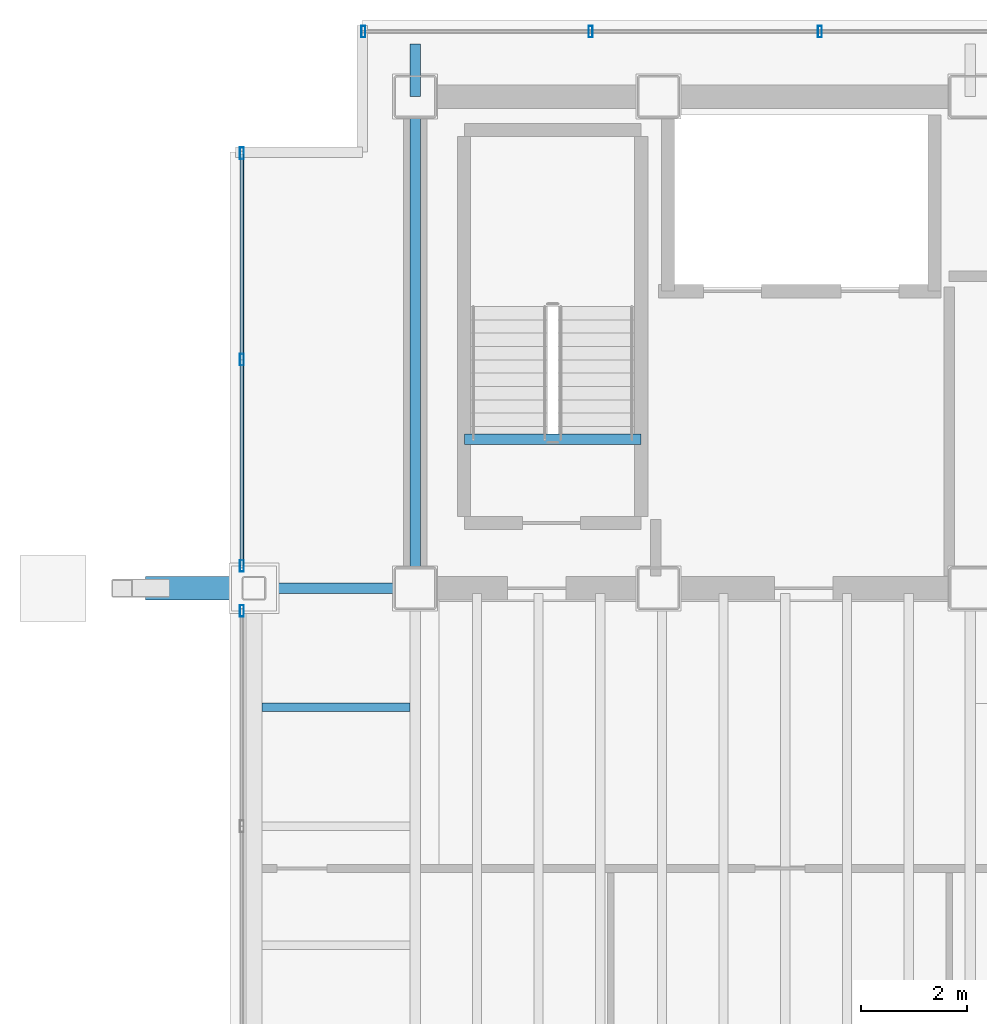
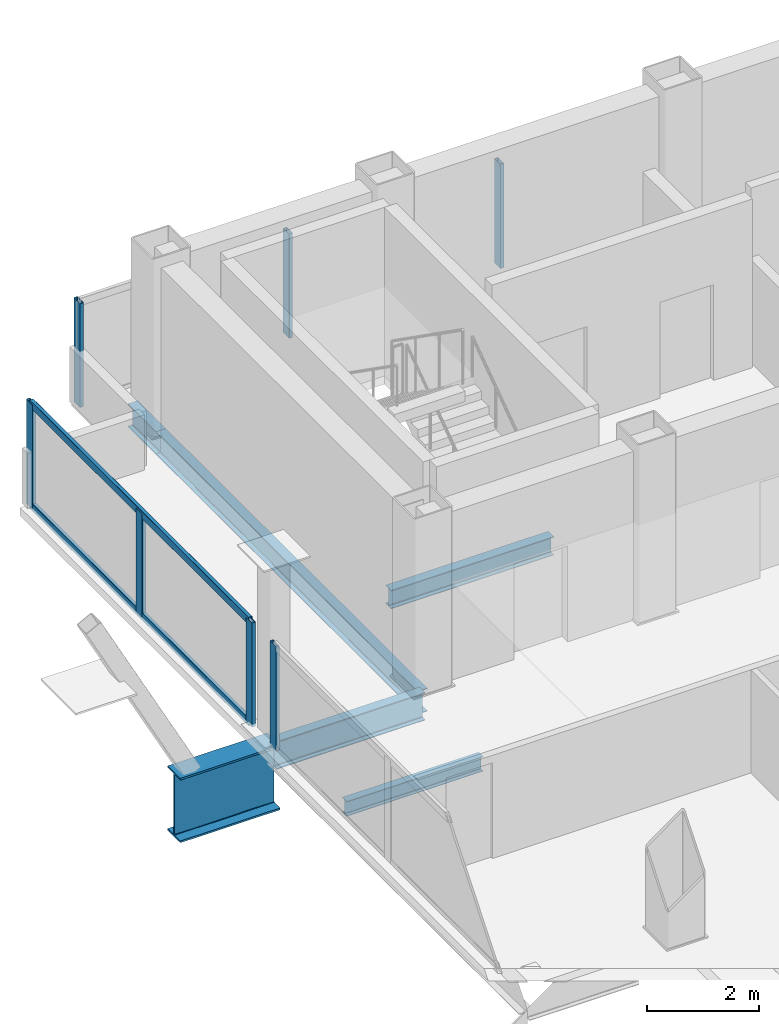
# One storey, part 6 of 17: 9 members, 6 beams, 3 elements without a shape of their own.
"""IFC4 building model written with IfcOpenShell, lengths in metres."""

from ifc_helpers import new_model, si_unit, direction, frame, origin, origin_2d, place, context, subcontext, project, spatial, hollow_rectangle, i_section, extrude, material, material_profile, profile_set, type_object, element, aggregate, save


model = new_model("IFC4")

# Units and contexts
model_context = context("Model", 3, precision=1e-05, world=origin(), true_north=direction((0.0, 1.0)))
body_context = subcontext(model_context, "Body", "Model", "MODEL_VIEW")
ifc_project = project(units=[si_unit("LENGTHUNIT", "METRE"), si_unit("AREAUNIT", "SQUARE_METRE"), si_unit("VOLUMEUNIT", "CUBIC_METRE"), si_unit("PLANEANGLEUNIT", "RADIAN"), si_unit("MASSUNIT", "GRAM", prefix="KILO")], contexts=[model_context])

# Site, building, storey
site_placement = place(None, origin())
site = spatial("IfcSite", under=ifc_project, at=site_placement, CompositionType="ELEMENT")
building_placement = place(site_placement, origin())
building = spatial("IfcBuilding", under=site, at=building_placement, Name="Noeulbin Bourse Tower", CompositionType="ELEMENT")
storey_placement = place(building_placement, frame((0.0, 0.0, 226.699951171875)))
storey = spatial("IfcBuildingStorey", under=building, at=storey_placement, Name="L56", CompositionType="ELEMENT", Elevation=226.699951171875)

# Beams
ifc_material_1 = material(Name="Steel S355", Category="steel")
ifc_material_profile_1 = material_profile(ifc_material_1, i_section(OverallWidth=0.199951171875, OverallDepth=0.5, WebThickness=0.010009765625, FlangeThickness=0.01611328125, FilletRadius=0.02001953125, at=origin_2d()), Name="H-500x200x10x16", Category="LoadBearing")
ifc_profile_set_1 = profile_set([ifc_material_profile_1], Name="Steel S355")
beam_type_1 = type_object("IfcBeamType", Name="BM-GRD-500", PredefinedType="USERDEFINED", material=ifc_profile_set_1)
beam_1_placement = place(storey_placement, frame((13.5, 29.0, -0.429931640625), z_axis=(0.0, 1.0, 0.0), x_axis=(-1.0, 0.0, 0.0)))
element("IfcBeam", 1, at=beam_1_placement, inside=storey, type_object=beam_type_1, Name="Tower Primary Girder NS L56-1.3", ObjectType="GIRDER", PredefinedType="USERDEFINED", context=body_context, shape_type="SweptSolid", body=[
    extrude(i_section(OverallWidth=0.199951171875, OverallDepth=0.5, WebThickness=0.010009765625, FlangeThickness=0.01611328125, FilletRadius=0.02001953125, at=origin_2d()), origin(), (0.0, 0.0, 1.0), 9.300048828125),
])
beam_2_placement = place(storey_placement, frame((13.5, 38.300048828125, -0.429931640625), z_axis=(0.0, 1.0, 0.0), x_axis=(-1.0, 0.0, 0.0)))
element("IfcBeam", 2, at=beam_2_placement, inside=storey, type_object=beam_type_1, Name="Tower Primary Girder NS L56-1.4", ObjectType="GIRDER", PredefinedType="USERDEFINED", context=body_context, shape_type="SweptSolid", body=[
    extrude(i_section(OverallWidth=0.199951171875, OverallDepth=0.5, WebThickness=0.010009765625, FlangeThickness=0.01611328125, FilletRadius=0.02001953125, at=origin_2d()), origin(), (0.0, 0.0, 1.0), 1.0),
])
ifc_material_profile_2 = material_profile(ifc_material_1, i_section(OverallWidth=0.199951171875, OverallDepth=0.60009765625, WebThickness=0.010986328125, FlangeThickness=0.01708984375, FilletRadius=0.02197265625, at=origin_2d()), Name="H-600x200x11x17", Category="LoadBearing")
ifc_profile_set_2 = profile_set([ifc_material_profile_2], Name="Steel S355")
beam_type_2 = type_object("IfcBeamType", Name="BM-GRD-600", PredefinedType="USERDEFINED", material=ifc_profile_set_2)
beam_3_placement = place(storey_placement, frame((10.449951171875, 29.0, -0.47998046875), z_axis=(1.0, 0.0, 0.0), x_axis=(0.0, 1.0, 0.0)))
element("IfcBeam", 3, at=beam_3_placement, inside=storey, type_object=beam_type_2, Name="Tower Primary Girder EW L56-2.1", ObjectType="GIRDER", PredefinedType="USERDEFINED", context=body_context, shape_type="SweptSolid", body=[
    extrude(i_section(OverallWidth=0.199951171875, OverallDepth=0.60009765625, WebThickness=0.010986328125, FlangeThickness=0.01708984375, FilletRadius=0.02197265625, at=origin_2d()), origin(), (0.0, 0.0, 1.0), 3.050048828125),
])
ifc_material_profile_3 = material_profile(ifc_material_1, i_section(OverallWidth=0.159912109375, OverallDepth=0.320068359375, WebThickness=0.006591796875, FlangeThickness=0.010009765625, FilletRadius=0.012939453125, at=origin_2d()), Name="H-320x160x6.5x10", Category="LoadBearing")
ifc_profile_set_3 = profile_set([ifc_material_profile_3], Name="Steel S355")
beam_type_3 = type_object("IfcBeamType", Name="BM-JST-320", PredefinedType="JOIST", material=ifc_profile_set_3)
beam_4_placement = place(storey_placement, frame((10.60009765625, 26.75, -0.33984375), z_axis=(1.0, 0.0, 0.0), x_axis=(0.0, 1.0, 0.0)))
element("IfcBeam", 4, at=beam_4_placement, inside=storey, type_object=beam_type_3, Name="Wing Composite Joist L56-W49", PredefinedType="JOIST", context=body_context, shape_type="SweptSolid", body=[
    extrude(i_section(OverallWidth=0.159912109375, OverallDepth=0.320068359375, WebThickness=0.006591796875, FlangeThickness=0.010009765625, FilletRadius=0.012939453125, at=origin_2d()), origin(), (0.0, 0.0, 1.0), 2.7998046875),
])
ifc_material_profile_4 = material_profile(ifc_material_1, i_section(OverallWidth=0.199951171875, OverallDepth=0.39990234375, WebThickness=0.008056640625, FlangeThickness=0.012939453125, FilletRadius=0.01611328125, at=origin_2d()), Name="H-400x200x8x13", Category="LoadBearing")
ifc_profile_set_4 = profile_set([ifc_material_profile_4], Name="Steel S355")
beam_type_4 = type_object("IfcBeamType", Name="BM-SEC-400", PredefinedType="BEAM", material=ifc_profile_set_4)
beam_5_placement = place(storey_placement, frame((14.429931640625, 31.820068359375, -0.199951171875), z_axis=(1.0, 0.0, 0.0), x_axis=(0.0, 1.0, 0.0)))
element("IfcBeam", 5, at=beam_5_placement, inside=storey, type_object=beam_type_4, Name="Stair Threshold Trimmer Beam ST1-L56", PredefinedType="BEAM", context=body_context, shape_type="SweptSolid", body=[
    extrude(i_section(OverallWidth=0.199951171875, OverallDepth=0.39990234375, WebThickness=0.008056640625, FlangeThickness=0.012939453125, FilletRadius=0.01611328125, at=origin_2d()), origin(), (0.0, 0.0, 1.0), 3.340087890625),
])
ifc_material_2 = material(Name="Steel S460", Category="steel")
ifc_material_profile_5 = material_profile(ifc_material_2, i_section(OverallWidth=0.449951171875, OverallDepth=1.39990234375, WebThickness=0.02392578125, FlangeThickness=0.0400390625, FilletRadius=0.02392578125, at=origin_2d()), Name="PG-1400x450x24x40", Category="LoadBearing")
ifc_profile_set_5 = profile_set([ifc_material_profile_5], Name="Steel S460")
beam_type_5 = type_object("IfcBeamType", Name="BM-TRF-1400", PredefinedType="USERDEFINED", material=ifc_profile_set_5)
beam_6_placement = place(storey_placement, frame((8.39990234375, 29.0, -0.8798828125), z_axis=(1.0, 0.0, 0.0), x_axis=(0.0, 1.0, 0.0)))
element("IfcBeam", 6, at=beam_6_placement, inside=storey, type_object=beam_type_5, Name="Transfer Outrigger Corbel L56-02", ObjectType="GIRDER", PredefinedType="USERDEFINED", context=body_context, shape_type="SweptSolid", body=[
    extrude(i_section(OverallWidth=0.449951171875, OverallDepth=1.39990234375, WebThickness=0.02392578125, FlangeThickness=0.0400390625, FilletRadius=0.02392578125, at=origin_2d()), origin(), (0.0, 0.0, 1.0), 2.050048828125),
])

# Curtain wall, members
ifc_material_3 = material(Name="High-Selectivity Low-Iron Glazing", Category="glass")
curtain_wall_type = type_object("IfcCurtainWallType", Name="CW-SYS-4", PredefinedType="NOTDEFINED", material=ifc_material_3)
curtain_wall_1_placement = place(storey_placement, origin())
curtain_wall_1 = element("IfcCurtainWall", 7, at=curtain_wall_1_placement, inside=storey, type_object=curtain_wall_type, Name="Unitised Curtain Wall CW-L56-N", PredefinedType="NOTDEFINED")
ifc_material_4 = material(Name="Anodised Aluminium 6063-T6", Category="aluminium")
ifc_material_profile_6 = material_profile(ifc_material_4, hollow_rectangle(XDim=0.074951171875, YDim=0.219970703125, WallThickness=0.0048828125, InnerFilletRadius=0.00244140625, OuterFilletRadius=0.0048828125, at=origin_2d()), Name="ALU-MULL-75x220x5", Category="LoadBearing")
ifc_profile_set_6 = profile_set([ifc_material_profile_6], Name="Anodised Aluminium 6063-T6")
member_type_1 = type_object("IfcMemberType", Name="CW-SYS-4-MUL", PredefinedType="MULLION", material=ifc_profile_set_6)
member_1_placement = place(storey_placement, frame((12.52001953125, 39.530029296875, -0.02001953125), z_axis=(0.0, 0.0, 1.0), x_axis=(1.0, 0.0, 0.0)))
member_1 = element("IfcMember", 8, at=member_1_placement, type_object=member_type_1, Name="Curtain Wall Mullion CW-L56-N-M00", PredefinedType="MULLION", context=body_context, shape_type="SweptSolid", body=[
    extrude(hollow_rectangle(XDim=0.074951171875, YDim=0.219970703125, WallThickness=0.0048828125, InnerFilletRadius=0.00244140625, OuterFilletRadius=0.0048828125, at=origin_2d()), origin(), (0.0, 0.0, 1.0), 2.260009765625),
])
member_2_placement = place(storey_placement, frame((16.81787109375, 39.530029296875, -0.02001953125), z_axis=(0.0, 0.0, 1.0), x_axis=(1.0, 0.0, 0.0)))
member_2 = element("IfcMember", 9, at=member_2_placement, type_object=member_type_1, Name="Curtain Wall Mullion CW-L56-N-M01", PredefinedType="MULLION", context=body_context, shape_type="SweptSolid", body=[
    extrude(hollow_rectangle(XDim=0.074951171875, YDim=0.219970703125, WallThickness=0.0048828125, InnerFilletRadius=0.00244140625, OuterFilletRadius=0.0048828125, at=origin_2d()), origin(), (0.0, 0.0, 1.0), 2.260009765625),
])
member_3_placement = place(storey_placement, frame((21.155517578125, 39.530029296875, -0.02001953125), z_axis=(0.0, 0.0, 1.0), x_axis=(1.0, 0.0, 0.0)))
member_3 = element("IfcMember", 10, at=member_3_placement, type_object=member_type_1, Name="Curtain Wall Mullion CW-L56-N-M02", PredefinedType="MULLION", context=body_context, shape_type="SweptSolid", body=[
    extrude(hollow_rectangle(XDim=0.074951171875, YDim=0.219970703125, WallThickness=0.0048828125, InnerFilletRadius=0.00244140625, OuterFilletRadius=0.0048828125, at=origin_2d()), origin(), (0.0, 0.0, 1.0), 2.260009765625),
])
aggregate(curtain_wall_1, [member_1, member_2, member_3])

# Curtain wall, member
curtain_wall_2_placement = place(storey_placement, origin())
curtain_wall_2 = element("IfcCurtainWall", 11, at=curtain_wall_2_placement, inside=storey, type_object=curtain_wall_type, Name="Unitised Curtain Wall CW-L56-W-S2", PredefinedType="NOTDEFINED")
member_4_placement = place(storey_placement, frame((10.219970703125, 28.574951171875, -0.02001953125), z_axis=(0.0, 0.0, 1.0), x_axis=(1.0, 0.0, 0.0)))
member_4 = element("IfcMember", 12, at=member_4_placement, type_object=member_type_1, Name="Curtain Wall Mullion CW-L56-W-S2-M02", PredefinedType="MULLION", context=body_context, shape_type="SweptSolid", body=[
    extrude(hollow_rectangle(XDim=0.074951171875, YDim=0.219970703125, WallThickness=0.0048828125, InnerFilletRadius=0.00244140625, OuterFilletRadius=0.0048828125, at=origin_2d()), origin(), (0.0, 0.0, 1.0), 2.260009765625),
])
aggregate(curtain_wall_2, [member_4])

# Curtain wall, members
curtain_wall_3_placement = place(storey_placement, origin())
curtain_wall_3 = element("IfcCurtainWall", 13, at=curtain_wall_3_placement, inside=storey, type_object=curtain_wall_type, Name="Unitised Curtain Wall CW-L56-W-S3", PredefinedType="NOTDEFINED")
member_5_placement = place(storey_placement, frame((10.219970703125, 29.425048828125, -0.02001953125), z_axis=(0.0, 0.0, 1.0), x_axis=(1.0, 0.0, 0.0)))
member_5 = element("IfcMember", 14, at=member_5_placement, type_object=member_type_1, Name="Curtain Wall Mullion CW-L56-W-S3-M00", PredefinedType="MULLION", context=body_context, shape_type="SweptSolid", body=[
    extrude(hollow_rectangle(XDim=0.074951171875, YDim=0.219970703125, WallThickness=0.0048828125, InnerFilletRadius=0.00244140625, OuterFilletRadius=0.0048828125, at=origin_2d()), origin(), (0.0, 0.0, 1.0), 2.260009765625),
])
member_6_placement = place(storey_placement, frame((10.219970703125, 33.327392578125, -0.02001953125), z_axis=(0.0, 0.0, 1.0), x_axis=(1.0, 0.0, 0.0)))
member_6 = element("IfcMember", 15, at=member_6_placement, type_object=member_type_1, Name="Curtain Wall Mullion CW-L56-W-S3-M01", PredefinedType="MULLION", context=body_context, shape_type="SweptSolid", body=[
    extrude(hollow_rectangle(XDim=0.074951171875, YDim=0.219970703125, WallThickness=0.0048828125, InnerFilletRadius=0.00244140625, OuterFilletRadius=0.0048828125, at=origin_2d()), origin(), (0.0, 0.0, 1.0), 2.260009765625),
])
member_7_placement = place(storey_placement, frame((10.219970703125, 37.22998046875, -0.02001953125), z_axis=(0.0, 0.0, 1.0), x_axis=(1.0, 0.0, 0.0)))
member_7 = element("IfcMember", 16, at=member_7_placement, type_object=member_type_1, Name="Curtain Wall Mullion CW-L56-W-S3-M02", PredefinedType="MULLION", context=body_context, shape_type="SweptSolid", body=[
    extrude(hollow_rectangle(XDim=0.074951171875, YDim=0.219970703125, WallThickness=0.0048828125, InnerFilletRadius=0.00244140625, OuterFilletRadius=0.0048828125, at=origin_2d()), origin(), (0.0, 0.0, 1.0), 2.260009765625),
])
ifc_material_profile_7 = material_profile(ifc_material_4, hollow_rectangle(XDim=0.074951171875, YDim=0.159912109375, WallThickness=0.0048828125, InnerFilletRadius=0.00244140625, OuterFilletRadius=0.0048828125, at=origin_2d()), Name="ALU-TRAN-75x160x5", Category="LoadBearing")
ifc_profile_set_7 = profile_set([ifc_material_profile_7], Name="Anodised Aluminium 6063-T6")
member_type_2 = type_object("IfcMemberType", Name="CW-SYS-4-TRN", PredefinedType="USERDEFINED", material=ifc_profile_set_7)
member_8_placement = place(storey_placement, frame((10.219970703125, 29.43505859375, 0.010009765625), z_axis=(0.0, 1.0, 0.0), x_axis=(-1.0, 0.0, 0.0)))
member_8 = element("IfcMember", 17, at=member_8_placement, type_object=member_type_2, Name="Curtain Wall Transom CW-L56-W-S3-T00", ObjectType="TRANSOM", PredefinedType="USERDEFINED", context=body_context, shape_type="SweptSolid", body=[
    extrude(hollow_rectangle(XDim=0.074951171875, YDim=0.159912109375, WallThickness=0.0048828125, InnerFilletRadius=0.00244140625, OuterFilletRadius=0.0048828125, at=origin_2d()), origin(), (0.0, 0.0, 1.0), 7.784912109375),
])
member_9_placement = place(storey_placement, frame((10.219970703125, 29.43505859375, 2.2099609375), z_axis=(0.0, 1.0, 0.0), x_axis=(-1.0, 0.0, 0.0)))
member_9 = element("IfcMember", 18, at=member_9_placement, type_object=member_type_2, Name="Curtain Wall Transom CW-L56-W-S3-T01", ObjectType="TRANSOM", PredefinedType="USERDEFINED", context=body_context, shape_type="SweptSolid", body=[
    extrude(hollow_rectangle(XDim=0.074951171875, YDim=0.159912109375, WallThickness=0.0048828125, InnerFilletRadius=0.00244140625, OuterFilletRadius=0.0048828125, at=origin_2d()), origin(), (0.0, 0.0, 1.0), 7.784912109375),
])
aggregate(curtain_wall_3, [member_5, member_6, member_7, member_8, member_9])

save(model, "model.ifc")
